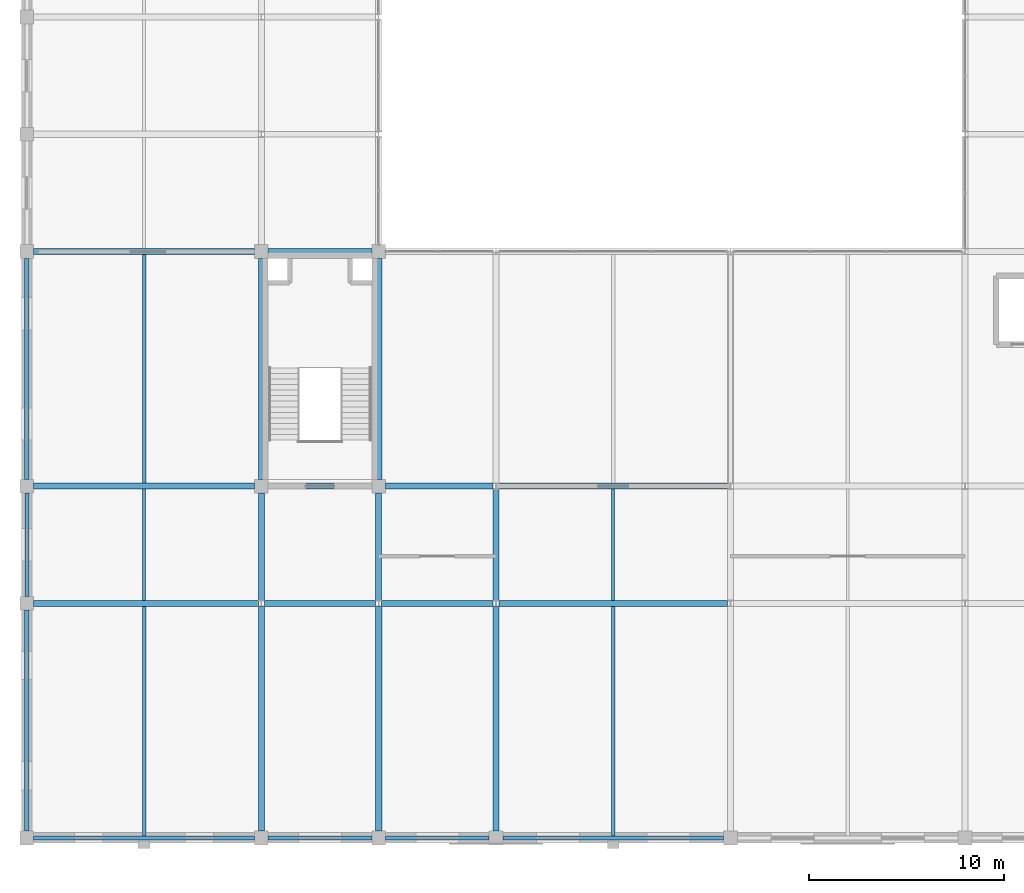
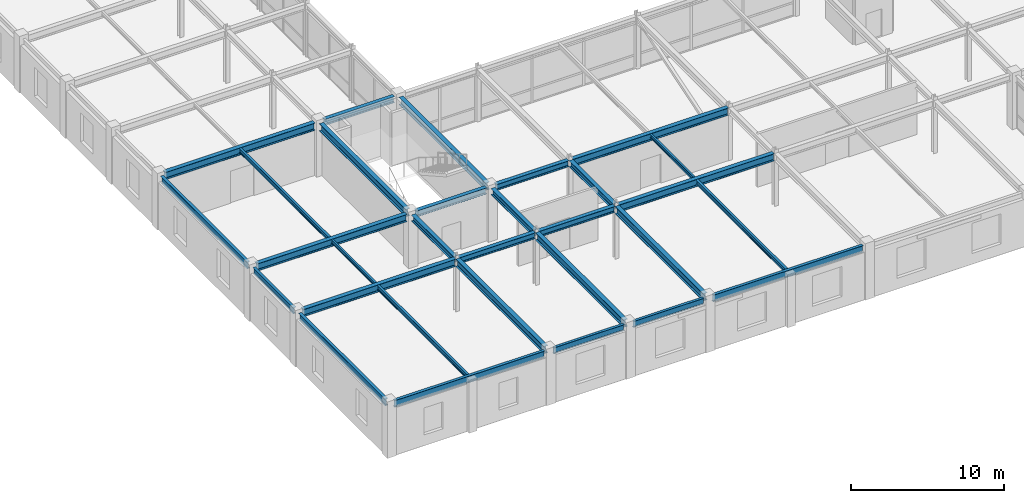
# One storey, part 25 of 108: 30 beams.
"""IFC4 building model written with IfcOpenShell, lengths in metres."""

from ifc_helpers import new_model, si_unit, direction, frame, origin, origin_2d, place, context, subcontext, project, spatial, i_section, extrude, material, material_profile, profile_set, type_object, element, save


model = new_model("IFC4")

# Units and contexts
model_context = context("Model", 3, precision=1e-05, world=origin(), true_north=direction((0.0, 1.0)))
body_context = subcontext(model_context, "Body", "Model", "MODEL_VIEW")
ifc_project = project(units=[si_unit("LENGTHUNIT", "METRE"), si_unit("AREAUNIT", "SQUARE_METRE"), si_unit("VOLUMEUNIT", "CUBIC_METRE"), si_unit("PLANEANGLEUNIT", "RADIAN"), si_unit("MASSUNIT", "GRAM", prefix="KILO")], contexts=[model_context])

# Site, building, storey
site_placement = place(None, origin())
site = spatial("IfcSite", under=ifc_project, at=site_placement, CompositionType="ELEMENT")
building_placement = place(site_placement, origin())
building = spatial("IfcBuilding", under=site, at=building_placement, Name="Zlatovratsky Civic Hall", CompositionType="ELEMENT")
storey_placement = place(building_placement, frame((0.0, 0.0, 12.0)))
storey = spatial("IfcBuildingStorey", under=building, at=storey_placement, Name="L03", CompositionType="ELEMENT", Elevation=12.0)

# Beams
ifc_material = material(Name="Steel S355", Category="steel")
ifc_material_profile_1 = material_profile(ifc_material, i_section(OverallWidth=0.300048828125, OverallDepth=0.48193359375, WebThickness=0.010986328125, FlangeThickness=0.014892578125, FilletRadius=0.02392578125, at=origin_2d()), Name="50Sh1")
ifc_profile_set_1 = profile_set([ifc_material_profile_1], Name="Steel S355")
beam_type_1 = type_object("IfcBeamType", Name="Beam_LibraryGirder_50Sh1", PredefinedType="BEAM", material=ifc_profile_set_1)
for number, where, z_axis, x_axis, name in (
    (1, (12.1494140625, 12.0, 3.97900390625), (1.0, 0.0, 0.0), (0.0, 1.0, 0.0), "BM-2482"),
    (2, (18.1494140625, 12.0, 3.97900390625), (1.0, 0.0, 0.0), (0.0, 1.0, 0.0), "BM-2483"),
):
    element("IfcBeam", number, at=place(storey_placement, frame(where, z_axis=z_axis, x_axis=x_axis)), inside=storey, type_object=beam_type_1, Name=name, PredefinedType="BEAM", context=body_context, shape_type="SweptSolid", body=[
        extrude(i_section(OverallWidth=0.300048828125, OverallDepth=0.48193359375, WebThickness=0.010986328125, FlangeThickness=0.014892578125, FilletRadius=0.02392578125, at=origin_2d()), origin(), (0.0, 0.0, 1.0), 5.701171875),
    ])
beam_1_placement = place(storey_placement, frame((12.35009765625, 18.0, 3.97900390625), z_axis=(1.0, 0.0, 0.0), x_axis=(0.0, 1.0, 0.0)))
element("IfcBeam", 3, at=beam_1_placement, inside=storey, type_object=beam_type_1, Name="BM-2504", PredefinedType="BEAM", context=body_context, shape_type="SweptSolid", body=[
    extrude(i_section(OverallWidth=0.300048828125, OverallDepth=0.48193359375, WebThickness=0.010986328125, FlangeThickness=0.014892578125, FilletRadius=0.02392578125, at=origin_2d()), origin(), (0.0, 0.0, 1.0), 5.2998046875),
])
beam_2_placement = place(storey_placement, frame((18.35009765625, 18.0, 3.97900390625), z_axis=(1.0, 0.0, 0.0), x_axis=(0.0, 1.0, 0.0)))
element("IfcBeam", 4, at=beam_2_placement, inside=storey, type_object=beam_type_1, Name="BM-2505", PredefinedType="BEAM", context=body_context, shape_type="SweptSolid", body=[
    extrude(i_section(OverallWidth=0.300048828125, OverallDepth=0.48193359375, WebThickness=0.010986328125, FlangeThickness=0.014892578125, FilletRadius=0.02392578125, at=origin_2d()), origin(), (0.0, 0.0, 1.0), 5.50048828125),
])
beam_3_placement = place(storey_placement, frame((12.35009765625, 30.0, 3.97900390625), z_axis=(1.0, 0.0, 0.0), x_axis=(0.0, 1.0, 0.0)))
element("IfcBeam", 5, at=beam_3_placement, inside=storey, type_object=beam_type_1, Name="BM-2526", PredefinedType="BEAM", context=body_context, shape_type="SweptSolid", body=[
    extrude(i_section(OverallWidth=0.300048828125, OverallDepth=0.48193359375, WebThickness=0.010986328125, FlangeThickness=0.014892578125, FilletRadius=0.02392578125, at=origin_2d()), origin(), (0.0, 0.0, 1.0), 5.2998046875),
])
for number, where, z_axis, x_axis, name in (
    (6, (12.0, 12.14794921875, 3.97900390625), (0.0, 1.0, 0.0), (-1.0, 0.0, 0.0), "BM-2811"),
    (7, (18.0, 12.14794921875, 3.97900390625), (0.0, 1.0, 0.0), (-1.0, 0.0, 0.0), "BM-2828"),
):
    element("IfcBeam", number, at=place(storey_placement, frame(where, z_axis=z_axis, x_axis=x_axis)), inside=storey, type_object=beam_type_1, Name=name, PredefinedType="BEAM", context=body_context, shape_type="SweptSolid", body=[
        extrude(i_section(OverallWidth=0.300048828125, OverallDepth=0.48193359375, WebThickness=0.010986328125, FlangeThickness=0.014892578125, FilletRadius=0.02392578125, at=origin_2d()), origin(), (0.0, 0.0, 1.0), 5.501953125),
    ])
beam_4_placement = place(storey_placement, frame((24.0, 12.14794921875, 3.97900390625), z_axis=(0.0, 1.0, 0.0), x_axis=(-1.0, 0.0, 0.0)))
element("IfcBeam", 8, at=beam_4_placement, inside=storey, type_object=beam_type_1, Name="BM-2845", PredefinedType="BEAM", context=body_context, shape_type="SweptSolid", body=[
    extrude(i_section(OverallWidth=0.300048828125, OverallDepth=0.48193359375, WebThickness=0.010986328125, FlangeThickness=0.014892578125, FilletRadius=0.02392578125, at=origin_2d()), origin(), (0.0, 0.0, 1.0), 5.7041015625),
])
ifc_material_profile_2 = material_profile(ifc_material, i_section(OverallWidth=0.320068359375, OverallDepth=0.58203125, WebThickness=0.011962890625, FlangeThickness=0.01708984375, FilletRadius=0.02392578125, at=origin_2d()), Name="60Sh1")
ifc_profile_set_2 = profile_set([ifc_material_profile_2], Name="Steel S355")
beam_type_2 = type_object("IfcBeamType", Name="Beam_PodiumGirder_60Sh1", PredefinedType="BEAM", material=ifc_profile_set_2)
beam_5_placement = place(storey_placement, frame((0.35009765625, 12.0, 3.928955078125), z_axis=(1.0, 0.0, 0.0), x_axis=(0.0, 1.0, 0.0)))
element("IfcBeam", 9, at=beam_5_placement, inside=storey, type_object=beam_type_2, Name="BM-2481", PredefinedType="BEAM", context=body_context, shape_type="SweptSolid", body=[
    extrude(i_section(OverallWidth=0.320068359375, OverallDepth=0.58203125, WebThickness=0.011962890625, FlangeThickness=0.01708984375, FilletRadius=0.02392578125, at=origin_2d()), origin(), (0.0, 0.0, 1.0), 11.50048828125),
])
beam_6_placement = place(storey_placement, frame((24.1494140625, 12.0, 3.928955078125), z_axis=(1.0, 0.0, 0.0), x_axis=(0.0, 1.0, 0.0)))
element("IfcBeam", 10, at=beam_6_placement, inside=storey, type_object=beam_type_2, Name="BM-2484", PredefinedType="BEAM", context=body_context, shape_type="SweptSolid", body=[
    extrude(i_section(OverallWidth=0.320068359375, OverallDepth=0.58203125, WebThickness=0.011962890625, FlangeThickness=0.01708984375, FilletRadius=0.02392578125, at=origin_2d()), origin(), (0.0, 0.0, 1.0), 11.701171875),
])
beam_7_placement = place(storey_placement, frame((0.35009765625, 18.0, 3.928955078125), z_axis=(1.0, 0.0, 0.0), x_axis=(0.0, 1.0, 0.0)))
element("IfcBeam", 11, at=beam_7_placement, inside=storey, type_object=beam_type_2, Name="BM-2503", PredefinedType="BEAM", context=body_context, shape_type="SweptSolid", body=[
    extrude(i_section(OverallWidth=0.320068359375, OverallDepth=0.58203125, WebThickness=0.011962890625, FlangeThickness=0.01708984375, FilletRadius=0.02392578125, at=origin_2d()), origin(), (0.0, 0.0, 1.0), 11.2998046875),
])
beam_8_placement = place(storey_placement, frame((24.1494140625, 18.0, 3.928955078125), z_axis=(1.0, 0.0, 0.0), x_axis=(0.0, 1.0, 0.0)))
element("IfcBeam", 12, at=beam_8_placement, inside=storey, type_object=beam_type_2, Name="BM-2506", PredefinedType="BEAM", context=body_context, shape_type="SweptSolid", body=[
    extrude(i_section(OverallWidth=0.320068359375, OverallDepth=0.58203125, WebThickness=0.011962890625, FlangeThickness=0.01708984375, FilletRadius=0.02392578125, at=origin_2d()), origin(), (0.0, 0.0, 1.0), 11.701171875),
])
beam_9_placement = place(storey_placement, frame((0.35009765625, 30.0, 3.928955078125), z_axis=(1.0, 0.0, 0.0), x_axis=(0.0, 1.0, 0.0)))
element("IfcBeam", 13, at=beam_9_placement, inside=storey, type_object=beam_type_2, Name="BM-2525", PredefinedType="BEAM", context=body_context, shape_type="SweptSolid", body=[
    extrude(i_section(OverallWidth=0.320068359375, OverallDepth=0.58203125, WebThickness=0.011962890625, FlangeThickness=0.01708984375, FilletRadius=0.02392578125, at=origin_2d()), origin(), (0.0, 0.0, 1.0), 11.2998046875),
])
beam_10_placement = place(storey_placement, frame((12.0, 0.35009765625, 3.928955078125), z_axis=(0.0, 1.0, 0.0), x_axis=(-1.0, 0.0, 0.0)))
element("IfcBeam", 14, at=beam_10_placement, inside=storey, type_object=beam_type_2, Name="BM-2810", PredefinedType="BEAM", context=body_context, shape_type="SweptSolid", body=[
    extrude(i_section(OverallWidth=0.320068359375, OverallDepth=0.58203125, WebThickness=0.011962890625, FlangeThickness=0.01708984375, FilletRadius=0.02392578125, at=origin_2d()), origin(), (0.0, 0.0, 1.0), 11.501953125),
])
beam_11_placement = place(storey_placement, frame((12.0, 18.35009765625, 3.928955078125), z_axis=(0.0, 1.0, 0.0), x_axis=(-1.0, 0.0, 0.0)))
element("IfcBeam", 15, at=beam_11_placement, inside=storey, type_object=beam_type_2, Name="BM-2812", PredefinedType="BEAM", context=body_context, shape_type="SweptSolid", body=[
    extrude(i_section(OverallWidth=0.320068359375, OverallDepth=0.58203125, WebThickness=0.011962890625, FlangeThickness=0.01708984375, FilletRadius=0.02392578125, at=origin_2d()), origin(), (0.0, 0.0, 1.0), 11.2998046875),
])
beam_12_placement = place(storey_placement, frame((18.0, 0.35009765625, 3.928955078125), z_axis=(0.0, 1.0, 0.0), x_axis=(-1.0, 0.0, 0.0)))
element("IfcBeam", 16, at=beam_12_placement, inside=storey, type_object=beam_type_2, Name="BM-2827", PredefinedType="BEAM", context=body_context, shape_type="SweptSolid", body=[
    extrude(i_section(OverallWidth=0.320068359375, OverallDepth=0.58203125, WebThickness=0.011962890625, FlangeThickness=0.01708984375, FilletRadius=0.02392578125, at=origin_2d()), origin(), (0.0, 0.0, 1.0), 11.501953125),
])
beam_13_placement = place(storey_placement, frame((18.0, 18.35009765625, 3.928955078125), z_axis=(0.0, 1.0, 0.0), x_axis=(-1.0, 0.0, 0.0)))
element("IfcBeam", 17, at=beam_13_placement, inside=storey, type_object=beam_type_2, Name="BM-2829", PredefinedType="BEAM", context=body_context, shape_type="SweptSolid", body=[
    extrude(i_section(OverallWidth=0.320068359375, OverallDepth=0.58203125, WebThickness=0.011962890625, FlangeThickness=0.01708984375, FilletRadius=0.02392578125, at=origin_2d()), origin(), (0.0, 0.0, 1.0), 11.2998046875),
])
beam_14_placement = place(storey_placement, frame((24.0, 0.35009765625, 3.928955078125), z_axis=(0.0, 1.0, 0.0), x_axis=(-1.0, 0.0, 0.0)))
element("IfcBeam", 18, at=beam_14_placement, inside=storey, type_object=beam_type_2, Name="BM-2844", PredefinedType="BEAM", context=body_context, shape_type="SweptSolid", body=[
    extrude(i_section(OverallWidth=0.320068359375, OverallDepth=0.58203125, WebThickness=0.011962890625, FlangeThickness=0.01708984375, FilletRadius=0.02392578125, at=origin_2d()), origin(), (0.0, 0.0, 1.0), 11.501953125),
])
ifc_material_profile_3 = material_profile(ifc_material, i_section(OverallWidth=0.198974609375, OverallDepth=0.491943359375, WebThickness=0.0087890625, FlangeThickness=0.011962890625, FilletRadius=0.01611328125, at=origin_2d()), Name="50B1")
ifc_profile_set_3 = profile_set([ifc_material_profile_3], Name="Steel S355")
beam_type_3 = type_object("IfcBeamType", Name="Beam_Spandrel_50B1", PredefinedType="SPANDREL", material=ifc_profile_set_3)
for number, where, z_axis, x_axis, name in (
    (19, (12.35009765625, 0.0, 3.97412109375), (1.0, 0.0, 0.0), (0.0, 1.0, 0.0), "BM-2470"),
    (20, (18.35009765625, 0.0, 3.97412109375), (1.0, 0.0, 0.0), (0.0, 1.0, 0.0), "BM-2471"),
    (21, (0.0, 12.35009765625, 3.97412109375), (0.0, 1.0, 0.0), (-1.0, 0.0, 0.0), "BM-2794"),
):
    element("IfcBeam", number, at=place(storey_placement, frame(where, z_axis=z_axis, x_axis=x_axis)), inside=storey, type_object=beam_type_3, Name=name, PredefinedType="SPANDREL", context=body_context, shape_type="SweptSolid", body=[
        extrude(i_section(OverallWidth=0.198974609375, OverallDepth=0.491943359375, WebThickness=0.0087890625, FlangeThickness=0.011962890625, FilletRadius=0.01611328125, at=origin_2d()), origin(), (0.0, 0.0, 1.0), 5.2998046875),
    ])
ifc_material_profile_4 = material_profile(ifc_material, i_section(OverallWidth=0.219970703125, OverallDepth=0.54296875, WebThickness=0.009521484375, FlangeThickness=0.013427734375, FilletRadius=0.01806640625, at=origin_2d()), Name="55B1")
ifc_profile_set_4 = profile_set([ifc_material_profile_4], Name="Steel S355")
beam_type_4 = type_object("IfcBeamType", Name="Beam_Spandrel_55B1", PredefinedType="SPANDREL", material=ifc_profile_set_4)
for number, where, z_axis, x_axis, name in (
    (22, (0.35009765625, 0.0, 3.948486328125), (1.0, 0.0, 0.0), (0.0, 1.0, 0.0), "BM-2469"),
    (23, (24.35009765625, 0.0, 3.948486328125), (1.0, 0.0, 0.0), (0.0, 1.0, 0.0), "BM-2472"),
    (24, (0.0, 0.35009765625, 3.948486328125), (0.0, 1.0, 0.0), (-1.0, 0.0, 0.0), "BM-2793"),
    (25, (0.0, 18.35009765625, 3.948486328125), (0.0, 1.0, 0.0), (-1.0, 0.0, 0.0), "BM-2795"),
):
    element("IfcBeam", number, at=place(storey_placement, frame(where, z_axis=z_axis, x_axis=x_axis)), inside=storey, type_object=beam_type_4, Name=name, PredefinedType="SPANDREL", context=body_context, shape_type="SweptSolid", body=[
        extrude(i_section(OverallWidth=0.219970703125, OverallDepth=0.54296875, WebThickness=0.009521484375, FlangeThickness=0.013427734375, FilletRadius=0.01806640625, at=origin_2d()), origin(), (0.0, 0.0, 1.0), 11.2998046875),
    ])
ifc_material_profile_5 = material_profile(ifc_material, i_section(OverallWidth=0.175048828125, OverallDepth=0.35009765625, WebThickness=0.007080078125, FlangeThickness=0.010986328125, FilletRadius=0.013916015625, at=origin_2d()), Name="35B2")
ifc_profile_set_5 = profile_set([ifc_material_profile_5], Name="Steel S355")
beam_type_5 = type_object("IfcBeamType", Name="Joist_Heavy_35B2", PredefinedType="JOIST", material=ifc_profile_set_5)
for number, where, z_axis, x_axis, name in (
    (26, (6.0, 0.110107421875, 4.044921875), (0.0, 1.0, 0.0), (-1.0, 0.0, 0.0), "BM-3120"),
    (27, (30.0, 0.110107421875, 4.044921875), (0.0, 1.0, 0.0), (-1.0, 0.0, 0.0), "BM-3121"),
):
    element("IfcBeam", number, at=place(storey_placement, frame(where, z_axis=z_axis, x_axis=x_axis)), inside=storey, type_object=beam_type_5, Name=name, PredefinedType="JOIST", context=body_context, shape_type="SweptSolid", body=[
        extrude(i_section(OverallWidth=0.175048828125, OverallDepth=0.35009765625, WebThickness=0.007080078125, FlangeThickness=0.010986328125, FilletRadius=0.013916015625, at=origin_2d()), origin(), (0.0, 0.0, 1.0), 11.72998046875),
    ])
beam_15_placement = place(storey_placement, frame((6.0, 18.159912109375, 4.044921875), z_axis=(0.0, 1.0, 0.0), x_axis=(-1.0, 0.0, 0.0)))
element("IfcBeam", 28, at=beam_15_placement, inside=storey, type_object=beam_type_5, Name="BM-3132", PredefinedType="JOIST", context=body_context, shape_type="SweptSolid", body=[
    extrude(i_section(OverallWidth=0.175048828125, OverallDepth=0.35009765625, WebThickness=0.007080078125, FlangeThickness=0.010986328125, FilletRadius=0.013916015625, at=origin_2d()), origin(), (0.0, 0.0, 1.0), 11.68017578125),
])
ifc_material_profile_6 = material_profile(ifc_material, i_section(OverallWidth=0.14892578125, OverallDepth=0.2958984375, WebThickness=0.005615234375, FlangeThickness=0.008056640625, FilletRadius=0.012939453125, at=origin_2d()), Name="30B1")
ifc_profile_set_6 = profile_set([ifc_material_profile_6], Name="Steel S355")
beam_type_6 = type_object("IfcBeamType", Name="Joist_Tower_30B1", PredefinedType="JOIST", material=ifc_profile_set_6)
for number, where, z_axis, x_axis, name in (
    (29, (6.0, 12.159912109375, 4.072021484375), (0.0, 1.0, 0.0), (-1.0, 0.0, 0.0), "BM-3126"),
    (30, (30.0, 12.159912109375, 4.072021484375), (0.0, 1.0, 0.0), (-1.0, 0.0, 0.0), "BM-3127"),
):
    element("IfcBeam", number, at=place(storey_placement, frame(where, z_axis=z_axis, x_axis=x_axis)), inside=storey, type_object=beam_type_6, Name=name, PredefinedType="JOIST", context=body_context, shape_type="SweptSolid", body=[
        extrude(i_section(OverallWidth=0.14892578125, OverallDepth=0.2958984375, WebThickness=0.005615234375, FlangeThickness=0.008056640625, FilletRadius=0.012939453125, at=origin_2d()), origin(), (0.0, 0.0, 1.0), 5.68017578125),
    ])

save(model, "model.ifc")
